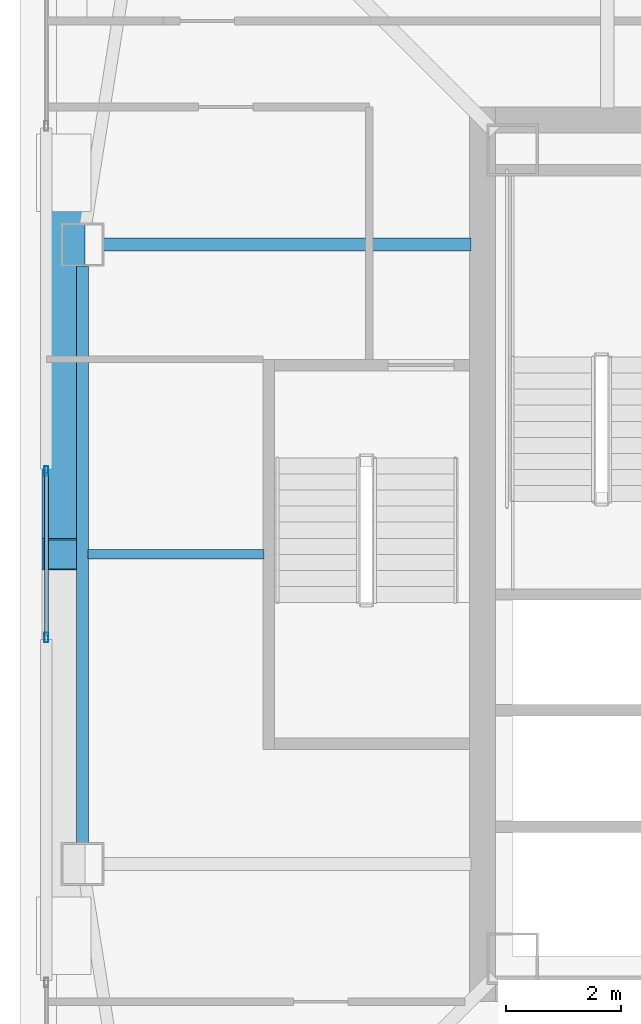
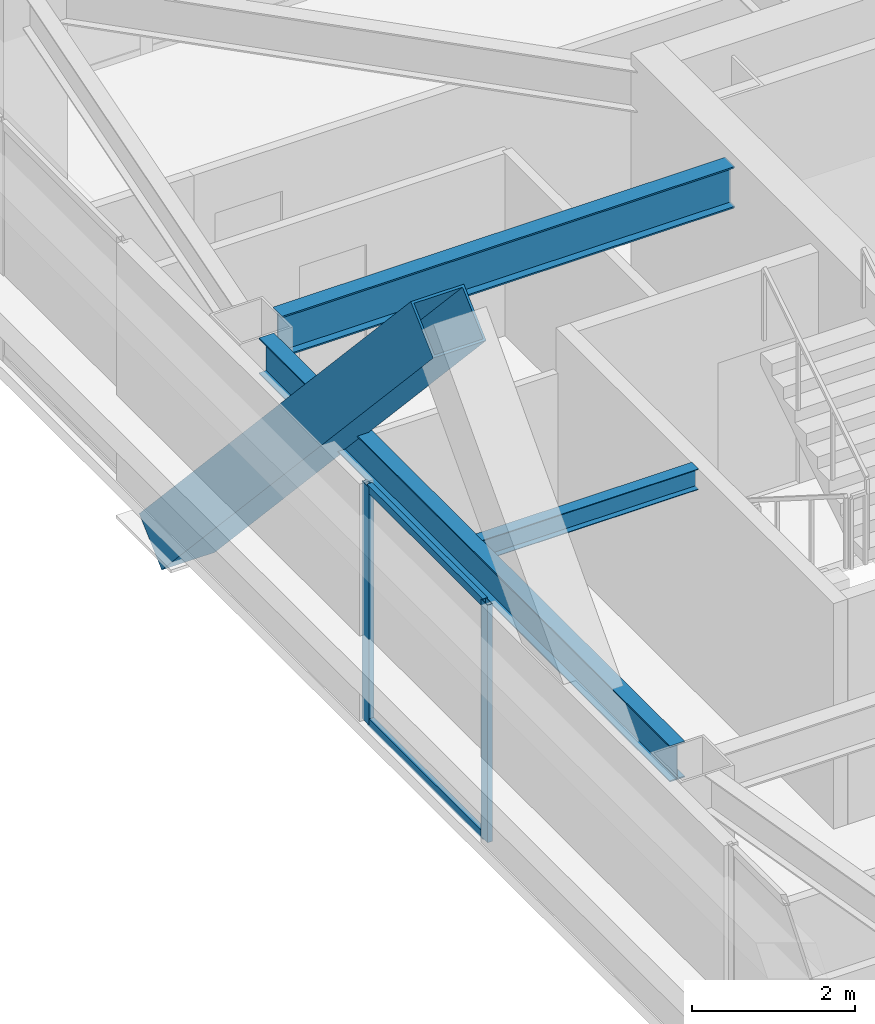
# One storey, part 9 of 24: 5 members, 3 beams, 1 element without a shape of its own.
"""IFC4 building model written with IfcOpenShell, lengths in metres."""

from ifc_helpers import new_model, si_unit, direction, frame, origin, origin_2d, place, context, subcontext, project, spatial, hollow_rectangle, i_section, extrude, material, material_profile, profile_set, type_object, element, aggregate, save


model = new_model("IFC4")

# Units and contexts
model_context = context("Model", 3, precision=1e-05, world=origin(), true_north=direction((0.0, 1.0)))
body_context = subcontext(model_context, "Body", "Model", "MODEL_VIEW")
ifc_project = project(units=[si_unit("LENGTHUNIT", "METRE"), si_unit("AREAUNIT", "SQUARE_METRE"), si_unit("VOLUMEUNIT", "CUBIC_METRE"), si_unit("PLANEANGLEUNIT", "RADIAN"), si_unit("MASSUNIT", "GRAM", prefix="KILO")], contexts=[model_context])

# Site, building, storey
site_placement = place(None, origin())
site = spatial("IfcSite", under=ifc_project, at=site_placement, CompositionType="ELEMENT")
building_placement = place(site_placement, origin())
building = spatial("IfcBuilding", under=site, at=building_placement, Name="Tashvorn Skyway Center", CompositionType="ELEMENT")
storey_placement = place(building_placement, frame((0.0, 0.0, 270.5)))
storey = spatial("IfcBuildingStorey", under=building, at=storey_placement, Name="L73", CompositionType="ELEMENT", Elevation=270.5)

# Beams
ifc_material_1 = material(Name="Steel ASTM A992 Grade 50", Category="steel")
ifc_material_profile_1 = material_profile(ifc_material_1, i_section(OverallWidth=0.22998046875, OverallDepth=0.616943359375, WebThickness=0.01318359375, FlangeThickness=0.022216796875, at=origin_2d()), Name="W24X94")
ifc_profile_set_1 = profile_set([ifc_material_profile_1], Name="Steel ASTM A992 Grade 50")
beam_type_1 = type_object("IfcBeamType", Name="BM-BEAM-W24X94", PredefinedType="BEAM", material=ifc_profile_set_1)
beam_1_placement = place(storey_placement, frame((27.820068359375, 37.39990234375, 3.0615234375), z_axis=(1.0, 0.0, 0.0), x_axis=(0.0, 1.0, 0.0)))
element("IfcBeam", 1, at=beam_1_placement, inside=storey, type_object=beam_type_1, Name="Tower 1 L73 Primary Floor Girder FC-W1", PredefinedType="BEAM", context=body_context, shape_type="SweptSolid", body=[
    extrude(i_section(OverallWidth=0.22998046875, OverallDepth=0.616943359375, WebThickness=0.01318359375, FlangeThickness=0.022216796875, at=origin_2d()), origin(), (0.0, 0.0, 1.0), 6.39990234375),
])
ifc_material_profile_2 = material_profile(ifc_material_1, i_section(OverallWidth=0.1650390625, OverallDepth=0.31005859375, WebThickness=0.005859375, FlangeThickness=0.009765625, at=origin_2d()), Name="W12X26")
ifc_profile_set_2 = profile_set([ifc_material_profile_2], Name="Steel ASTM A992 Grade 50")
beam_type_2 = type_object("IfcBeamType", Name="BM-JOIST-W12X26", PredefinedType="JOIST", material=ifc_profile_set_2)
beam_2_placement = place(storey_placement, frame((30.610107421875, 32.0, 3.215087890625), z_axis=(-1.0, 0.0, 0.0), x_axis=(0.0, -1.0, 0.0)))
element("IfcBeam", 2, at=beam_2_placement, inside=storey, type_object=beam_type_2, Name="Tower 1 L73 Secondary Composite Joist JW", PredefinedType="JOIST", context=body_context, shape_type="SweptSolid", body=[
    extrude(i_section(OverallWidth=0.1650390625, OverallDepth=0.31005859375, WebThickness=0.005859375, FlangeThickness=0.009765625, at=origin_2d()), origin(), (0.0, 0.0, 1.0), 3.0625),
])
ifc_material_profile_3 = material_profile(ifc_material_1, i_section(OverallWidth=0.2109375, OverallDepth=0.5390625, WebThickness=0.01171875, FlangeThickness=0.018798828125, at=origin_2d()), Name="W21X73")
ifc_profile_set_3 = profile_set([ifc_material_profile_3], Name="Steel ASTM A992 Grade 50")
beam_type_3 = type_object("IfcBeamType", Name="BM-SPANDREL-W21X73", PredefinedType="SPANDREL", material=ifc_profile_set_3)
beam_3_placement = place(storey_placement, frame((27.449951171875, 37.030029296875, 3.1005859375), z_axis=(0.0, -1.0, 0.0), x_axis=(1.0, 0.0, 0.0)))
element("IfcBeam", 3, at=beam_3_placement, inside=storey, type_object=beam_type_3, Name="Tower 1 L73 Spandrel Beam 11", PredefinedType="SPANDREL", context=body_context, shape_type="SweptSolid", body=[
    extrude(i_section(OverallWidth=0.2109375, OverallDepth=0.5390625, WebThickness=0.01171875, FlangeThickness=0.018798828125, at=origin_2d()), origin(), (0.0, 0.0, 1.0), 10.06005859375),
])

# Curtain wall, members
ifc_material_2 = material(Name="Thermally broken bronze-anodized aluminium 6063-T6", Category="aluminium")
curtain_wall_type = type_object("IfcCurtainWallType", Name="CW-CW-Z5", PredefinedType="NOTDEFINED", material=ifc_material_2)
curtain_wall_placement = place(storey_placement, origin())
curtain_wall = element("IfcCurtainWall", 4, at=curtain_wall_placement, inside=storey, type_object=curtain_wall_type, Name="Tower 1 L73 West Unitised Curtain Wall Glazing Group 2", PredefinedType="NOTDEFINED")
ifc_material_profile_4 = material_profile(ifc_material_2, hollow_rectangle(XDim=0.070068359375, YDim=0.1650390625, WallThickness=0.00390625, at=origin_2d()), Name="ALU-MULL-70x165")
ifc_profile_set_4 = profile_set([ifc_material_profile_4], Name="Thermally broken bronze-anodized aluminium 6063-T6")
member_type_1 = type_object("IfcMemberType", Name="CWM-CW-Z5", PredefinedType="MULLION", material=ifc_profile_set_4)
member_1_placement = place(storey_placement, frame((26.820068359375, 30.54833984375, 0.0), z_axis=(0.0, 0.0, 1.0), x_axis=(-1.0, 0.0, 0.0)))
member_1 = element("IfcMember", 5, at=member_1_placement, type_object=member_type_1, Name="CW-Z5 mullion 1", PredefinedType="MULLION", context=body_context, shape_type="SweptSolid", body=[
    extrude(hollow_rectangle(XDim=0.070068359375, YDim=0.1650390625, WallThickness=0.00390625, at=origin_2d()), origin(), (0.0, 0.0, 1.0), 3.550048828125),
])
member_2_placement = place(storey_placement, frame((26.820068359375, 33.45166015625, 0.0), z_axis=(0.0, 0.0, 1.0), x_axis=(-1.0, 0.0, 0.0)))
member_2 = element("IfcMember", 6, at=member_2_placement, type_object=member_type_1, Name="CW-Z5 mullion 2", PredefinedType="MULLION", context=body_context, shape_type="SweptSolid", body=[
    extrude(hollow_rectangle(XDim=0.070068359375, YDim=0.1650390625, WallThickness=0.00390625, at=origin_2d()), origin(), (0.0, 0.0, 1.0), 3.550048828125),
])
ifc_material_profile_5 = material_profile(ifc_material_2, hollow_rectangle(XDim=0.070068359375, YDim=0.114990234375, WallThickness=0.00390625, at=origin_2d()), Name="ALU-TRAN-70x115")
ifc_profile_set_5 = profile_set([ifc_material_profile_5], Name="Thermally broken bronze-anodized aluminium 6063-T6")
member_type_2 = type_object("IfcMemberType", Name="CWT-CW-Z5", PredefinedType="USERDEFINED", material=ifc_profile_set_5)
member_3_placement = place(storey_placement, frame((26.820068359375, 30.583251953125, 0.034912109375), z_axis=(0.0, 1.0, 0.0), x_axis=(-1.0, 0.0, 0.0)))
member_3 = element("IfcMember", 7, at=member_3_placement, type_object=member_type_2, Name="CW-Z5 transom 1.1", ObjectType="TRANSOM", PredefinedType="USERDEFINED", context=body_context, shape_type="SweptSolid", body=[
    extrude(hollow_rectangle(XDim=0.070068359375, YDim=0.114990234375, WallThickness=0.00390625, at=origin_2d()), origin(), (0.0, 0.0, 1.0), 2.83349609375),
])
member_4_placement = place(storey_placement, frame((26.820068359375, 30.583251953125, 3.514892578125), z_axis=(0.0, 1.0, 0.0), x_axis=(-1.0, 0.0, 0.0)))
member_4 = element("IfcMember", 8, at=member_4_placement, type_object=member_type_2, Name="CW-Z5 transom 1.2", ObjectType="TRANSOM", PredefinedType="USERDEFINED", context=body_context, shape_type="SweptSolid", body=[
    extrude(hollow_rectangle(XDim=0.070068359375, YDim=0.114990234375, WallThickness=0.00390625, at=origin_2d()), origin(), (0.0, 0.0, 1.0), 2.83349609375),
])
aggregate(curtain_wall, [member_1, member_2, member_3, member_4])

# Member
ifc_material_3 = material(Name="Steel ASTM A572 Grade 50", Category="steel")
ifc_material_profile_6 = material_profile(ifc_material_3, hollow_rectangle(XDim=0.75, YDim=0.75, WallThickness=0.031982421875, at=origin_2d()), Name="BOX750x750x32")
ifc_profile_set_6 = profile_set([ifc_material_profile_6], Name="Steel ASTM A572 Grade 50")
member_type_3 = type_object("IfcMemberType", Name="MEM-MB-750", PredefinedType="BRACE", material=ifc_profile_set_6)
member_5_placement = place(storey_placement, frame((27.1201171875, 38.64990234375, -0.449951171875), z_axis=(0.0, -0.678489061697, 0.734610504388), x_axis=(1.0, 0.0, 0.0)))
element("IfcMember", 9, at=member_5_placement, inside=storey, type_object=member_type_3, Name="Tower 1 Zone 7 W Chevron Mega-Brace L2", PredefinedType="BRACE", context=body_context, shape_type="SweptSolid", body=[
    extrude(hollow_rectangle(XDim=0.75, YDim=0.75, WallThickness=0.031982421875, at=origin_2d()), origin(), (0.0, 0.0, 1.0), 9.801025390625),
])

save(model, "model.ifc")
